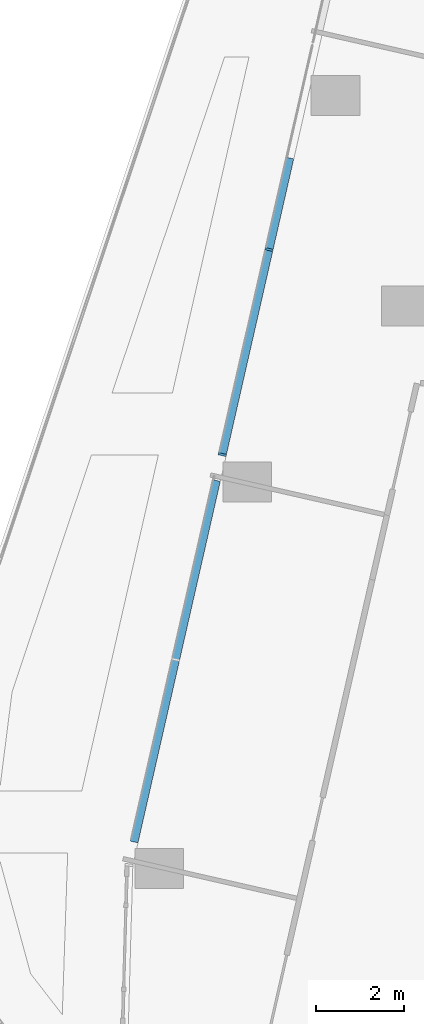
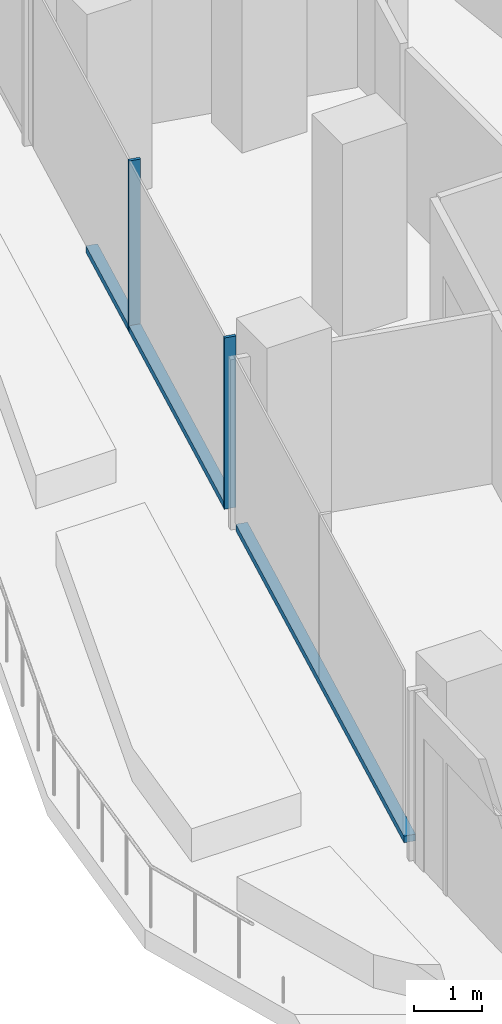
# One storey, part 3 of 28: 4 members, 1 element without a shape of its own.
"""IFC4 building model written with IfcOpenShell, lengths in metres."""

from ifc_helpers import new_model, si_unit, direction, frame, origin, origin_2d, place, context, subcontext, project, spatial, rectangle, extrude, material, material_profile, profile_set, type_object, element, aggregate, save


model = new_model("IFC4")

# Units and contexts
model_context = context("Model", 3, precision=1e-05, world=origin(), true_north=direction((0.0, 1.0)))
body_context = subcontext(model_context, "Body", "Model", "MODEL_VIEW")
ifc_project = project(units=[si_unit("LENGTHUNIT", "METRE"), si_unit("AREAUNIT", "SQUARE_METRE"), si_unit("VOLUMEUNIT", "CUBIC_METRE"), si_unit("PLANEANGLEUNIT", "RADIAN"), si_unit("MASSUNIT", "GRAM", prefix="KILO")], contexts=[model_context])

# Site, building, storey
site_placement = place(None, origin())
site = spatial("IfcSite", under=ifc_project, at=site_placement, CompositionType="ELEMENT")
building_placement = place(site_placement, origin())
building = spatial("IfcBuilding", under=site, at=building_placement, Name="Orlundy Tower", CompositionType="ELEMENT")
storey_placement = place(building_placement, frame((0.0, 0.0, 167.10009765625)))
storey = spatial("IfcBuildingStorey", under=building, at=storey_placement, Name="L43", CompositionType="ELEMENT", Elevation=167.10009765625)

# Curtain wall, members
ifc_material_1 = material(Name="Aluminium bronze anodised", Category="aluminium")
curtain_wall_type = type_object("IfcCurtainWallType", Name="CW1 wall", PredefinedType="NOTDEFINED", material=ifc_material_1)
curtain_wall_placement = place(storey_placement, origin())
curtain_wall = element("IfcCurtainWall", 1, at=curtain_wall_placement, inside=storey, type_object=curtain_wall_type, Name="CW1 run 00", PredefinedType="NOTDEFINED")
ifc_material_2 = material(Name="Aluminium bronze anodised", Category="aluminium")
ifc_material_profile_1 = material_profile(ifc_material_2, rectangle(XDim=0.179931640625, YDim=0.050048828125, at=origin_2d()), Name="CW1 mullion 50x180")
ifc_profile_set_1 = profile_set([ifc_material_profile_1], Name="Aluminium bronze anodised")
member_type_1 = type_object("IfcMemberType", Name="CW1 mullion 50x180", PredefinedType="MULLION", material=ifc_profile_set_1)
member_1_placement = place(storey_placement, frame((-28.803466796875, -35.99072265625, 0.0), z_axis=(0.0, 0.0, 1.0), x_axis=(-0.97502463614, 0.222096733251, 0.0)))
member_1 = element("IfcMember", 2, at=member_1_placement, type_object=member_type_1, Name="CW1 mullion 3", PredefinedType="MULLION", context=body_context, shape_type="SweptSolid", body=[
    extrude(rectangle(XDim=0.179931640625, YDim=0.050048828125, at=origin_2d()), origin(), (0.0, 0.0, 1.0), 3.079833984375),
])
member_2_placement = place(storey_placement, frame((-27.747314453125, -31.35400390625, 0.0), z_axis=(0.0, 0.0, 1.0), x_axis=(-0.97502463614, 0.222096733251, 0.0)))
member_2 = element("IfcMember", 3, at=member_2_placement, type_object=member_type_1, Name="CW1 mullion 4", PredefinedType="MULLION", context=body_context, shape_type="SweptSolid", body=[
    extrude(rectangle(XDim=0.179931640625, YDim=0.050048828125, at=origin_2d()), origin(), (0.0, 0.0, 1.0), 3.079833984375),
])
ifc_material_3 = material(Name="Aluminium bronze anodised", Category="aluminium")
ifc_material_profile_2 = material_profile(ifc_material_3, rectangle(XDim=0.179931640625, YDim=0.1201171875, at=origin_2d()), Name="CW1 transom 180x120")
ifc_profile_set_2 = profile_set([ifc_material_profile_2], Name="Aluminium bronze anodised")
member_type_2 = type_object("IfcMemberType", Name="CW1 transom 180x120", PredefinedType="USERDEFINED", material=ifc_profile_set_2)
member_3_placement = place(storey_placement, frame((-30.799072265625, -44.751953125, 0.059814453125), z_axis=(0.222091789756, 0.975025762184, 0.0), x_axis=(-0.975025762184, 0.222091789756, 0.0)))
member_3 = element("IfcMember", 4, at=member_3_placement, type_object=member_type_2, Name="CW1 transom", ObjectType="TRANSOM", PredefinedType="USERDEFINED", context=body_context, shape_type="SweptSolid", body=[
    extrude(rectangle(XDim=0.179931640625, YDim=0.1201171875, at=origin_2d()), origin(), (0.0, 0.0, 1.0), 8.38427734375),
])
member_4_placement = place(storey_placement, frame((-28.8076171875, -36.009033203125, 0.059814453125), z_axis=(0.222110640828, 0.975021468087, 0.0), x_axis=(-0.975021468087, 0.222110640828, 0.0)))
member_4 = element("IfcMember", 5, at=member_4_placement, type_object=member_type_2, Name="CW1 transom", ObjectType="TRANSOM", PredefinedType="USERDEFINED", context=body_context, shape_type="SweptSolid", body=[
    extrude(rectangle(XDim=0.179931640625, YDim=0.1201171875, at=origin_2d()), origin(), (0.0, 0.0, 1.0), 6.8974609375),
])
aggregate(curtain_wall, [member_1, member_2, member_3, member_4])

save(model, "model.ifc")
